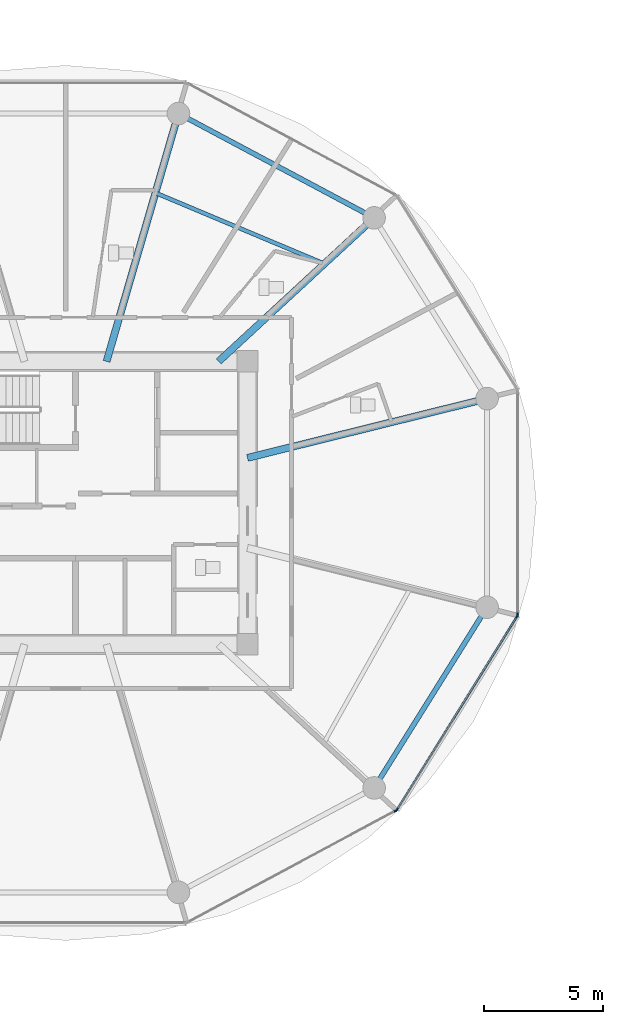
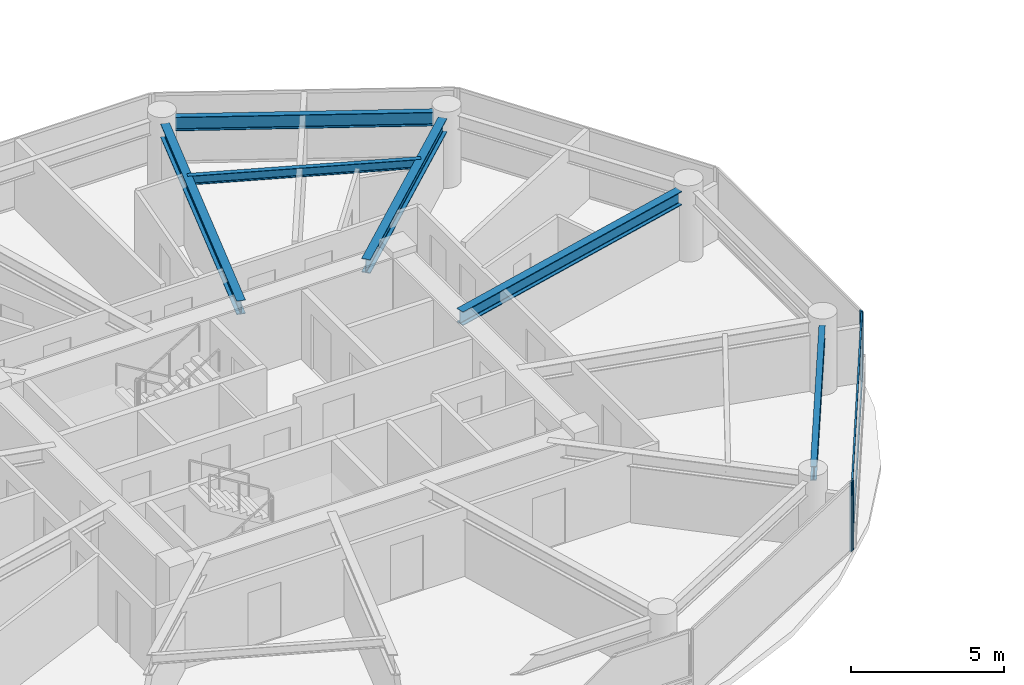
# One storey, part 5 of 27: 6 beams, 6 members, 3 elements without a shape of their own.
"""IFC4 building model written with IfcOpenShell, lengths in metres."""

from ifc_helpers import new_model, si_unit, direction, frame, origin, origin_2d, place, context, subcontext, project, spatial, rectangle, i_section, extrude, source, transform, mapped, material, layer, layer_set, material_profile, profile_set, type_object, type_shapes, element, aggregate, save


model = new_model("IFC4")

# Units and contexts
model_context = context("Model", 3, precision=1e-05, world=origin(), true_north=direction((0.0, 1.0)))
body_context = subcontext(model_context, "Body", "Model", "MODEL_VIEW")
ifc_project = project(units=[si_unit("LENGTHUNIT", "METRE"), si_unit("AREAUNIT", "SQUARE_METRE"), si_unit("VOLUMEUNIT", "CUBIC_METRE"), si_unit("PLANEANGLEUNIT", "RADIAN"), si_unit("MASSUNIT", "GRAM", prefix="KILO")], contexts=[model_context])

# Site, building, storey
site_placement = place(None, origin())
site = spatial("IfcSite", under=ifc_project, at=site_placement, CompositionType="ELEMENT")
building_placement = place(site_placement, origin())
building = spatial("IfcBuilding", under=site, at=building_placement, Name="Norrkilde Senior Care Towers", CompositionType="ELEMENT")
storey_placement = place(building_placement, frame((0.0, 0.0, 36.85009765625)))
storey = spatial("IfcBuildingStorey", under=building, at=storey_placement, Name="L10", CompositionType="ELEMENT", Elevation=36.85009765625)

# Beams
ifc_material_1 = material(Name="Steel S355", Category="steel")
ifc_material_profile_1 = material_profile(ifc_material_1, i_section(OverallWidth=0.2099609375, OverallDepth=0.550048828125, WebThickness=0.010986328125, FlangeThickness=0.01708984375, FilletRadius=0.02392578125, at=origin_2d()), Name="IPE 550")
ifc_profile_set_1 = profile_set([ifc_material_profile_1], Name="Steel S355")
beam_type_1 = type_object("IfcBeamType", Name="Perimeter Ring Spandrel Z1 IPE550", PredefinedType="SPANDREL", material=ifc_profile_set_1)
shared_shape_1 = source(origin(), body_context, "Body", "SweptSolid", [
    extrude(i_section(OverallWidth=0.2099609375, OverallDepth=0.550048828125, WebThickness=0.010986328125, FlangeThickness=0.01708984375, FilletRadius=0.02392578125, at=origin_2d()), origin(), (0.0, 0.0, 1.0), 8.090576171875),
])
beam_1_placement = place(storey_placement, frame((-14.7939453125, -11.61669921875, 2.514892578125), z_axis=(0.530004364821, 0.84799491347, 0.0), x_axis=(-0.84799491347, 0.530004364821, 0.0)))
element("IfcBeam", 1, at=beam_1_placement, inside=storey, type_object=beam_type_1, Name="L10 Drum W Perimeter Spandrel 11", PredefinedType="SPANDREL", context=body_context, shape_type="MappedRepresentation", body=[
    mapped(shared_shape_1, transform((0.0, 0.0, 0.0), x_axis=(1.0, 0.0, 0.0), y_axis=(0.0, 1.0, 0.0), z_axis=(0.0, 0.0, 1.0), scale=1.0)),
])
ifc_material_profile_2 = material_profile(ifc_material_1, i_section(OverallWidth=0.300048828125, OverallDepth=0.550048828125, WebThickness=0.014892578125, FlangeThickness=0.029052734375, FilletRadius=0.027099609375, at=origin_2d()), Name="HEB 550")
ifc_profile_set_2 = profile_set([ifc_material_profile_2], Name="Steel S355")
beam_type_2 = type_object("IfcBeamType", Name="Radial Floor Beam Z1 HEB550", PredefinedType="BEAM", material=ifc_profile_set_2)
shared_shape_2 = source(origin(), body_context, "Body", "SweptSolid", [
    extrude(i_section(OverallWidth=0.300048828125, OverallDepth=0.550048828125, WebThickness=0.014892578125, FlangeThickness=0.029052734375, FilletRadius=0.027099609375, at=origin_2d()), origin(), (0.0, 0.0, 1.0), 9.94384765625),
])
beam_2_placement = place(storey_placement, frame((-20.35009765625, 1.893310546875, 2.514892578125), z_axis=(0.970707425182, 0.240264634718, 0.0), x_axis=(-0.240264634718, 0.970707425182, 0.0)))
element("IfcBeam", 2, at=beam_2_placement, inside=storey, type_object=beam_type_2, Name="L10 Drum W Radial Floor Beam 01", PredefinedType="BEAM", context=body_context, shape_type="MappedRepresentation", body=[
    mapped(shared_shape_2, transform((0.0, 0.0, 0.0), x_axis=(1.0, 0.0, 0.0), y_axis=(0.0, 1.0, 0.0), z_axis=(0.0, 0.0, 1.0), scale=1.0)),
])
shared_shape_3 = source(origin(), body_context, "Body", "SweptSolid", [
    extrude(i_section(OverallWidth=0.2099609375, OverallDepth=0.550048828125, WebThickness=0.010986328125, FlangeThickness=0.01708984375, FilletRadius=0.02392578125, at=origin_2d()), origin(), (0.0, 0.0, 1.0), 8.452880859375),
])
type_shapes(beam_type_1, [shared_shape_1, shared_shape_3])
beam_3_placement = place(storey_placement, frame((-15.408447265625, 12.190185546875, 2.514892578125), z_axis=(-0.882368931134, 0.470558252898, 0.0), x_axis=(-0.470558252898, -0.882368931134, 0.0)))
element("IfcBeam", 3, at=beam_3_placement, inside=storey, type_object=beam_type_1, Name="L10 Drum W Perimeter Spandrel 02", PredefinedType="SPANDREL", context=body_context, shape_type="MappedRepresentation", body=[
    mapped(shared_shape_3, transform((0.0, 0.0, 0.0), x_axis=(1.0, 0.0, 0.0), y_axis=(0.0, 1.0, 0.0), z_axis=(0.0, 0.0, 1.0), scale=1.0)),
])
shared_shape_4 = source(origin(), body_context, "Body", "SweptSolid", [
    extrude(i_section(OverallWidth=0.300048828125, OverallDepth=0.550048828125, WebThickness=0.014892578125, FlangeThickness=0.029052734375, FilletRadius=0.027099609375, at=origin_2d()), origin(), (0.0, 0.0, 1.0), 8.459716796875),
])
beam_4_placement = place(storey_placement, frame((-21.55859375, 5.949951171875, 2.514892578125), z_axis=(0.734573269108, 0.678529374686, 0.0), x_axis=(-0.678529374686, 0.734573269108, 0.0)))
element("IfcBeam", 4, at=beam_4_placement, inside=storey, type_object=beam_type_2, Name="L10 Drum W Radial Floor Beam 02", PredefinedType="BEAM", context=body_context, shape_type="MappedRepresentation", body=[
    mapped(shared_shape_4, transform((0.0, 0.0, 0.0), x_axis=(1.0, 0.0, 0.0), y_axis=(0.0, 1.0, 0.0), z_axis=(0.0, 0.0, 1.0), scale=1.0)),
])
shared_shape_5 = source(origin(), body_context, "Body", "SweptSolid", [
    extrude(i_section(OverallWidth=0.300048828125, OverallDepth=0.550048828125, WebThickness=0.014892578125, FlangeThickness=0.029052734375, FilletRadius=0.027099609375, at=origin_2d()), origin(), (0.0, 0.0, 1.0), 10.4169921875),
])
type_shapes(beam_type_2, [shared_shape_2, shared_shape_4, shared_shape_5])
beam_5_placement = place(storey_placement, frame((-26.27392578125, 5.949951171875, 2.514892578125), z_axis=(0.278591250785, 0.960409764104, 0.0), x_axis=(-0.960409764104, 0.278591250785, 0.0)))
element("IfcBeam", 5, at=beam_5_placement, inside=storey, type_object=beam_type_2, Name="L10 Drum W Radial Floor Beam 03", PredefinedType="BEAM", context=body_context, shape_type="MappedRepresentation", body=[
    mapped(shared_shape_5, transform((0.0, 0.0, 0.0), x_axis=(1.0, 0.0, 0.0), y_axis=(0.0, 1.0, 0.0), z_axis=(0.0, 0.0, 1.0), scale=1.0)),
])
ifc_material_profile_3 = material_profile(ifc_material_1, i_section(OverallWidth=0.169921875, OverallDepth=0.360107421875, WebThickness=0.008056640625, FlangeThickness=0.0126953125, FilletRadius=0.01806640625, at=origin_2d()), Name="IPE 360")
ifc_profile_set_3 = profile_set([ifc_material_profile_3], Name="Steel S355")
beam_type_3 = type_object("IfcBeamType", Name="Secondary Floor Joist IPE360", PredefinedType="JOIST", material=ifc_profile_set_3)
shared_shape_6 = source(origin(), body_context, "Body", "SweptSolid", [
    extrude(i_section(OverallWidth=0.169921875, OverallDepth=0.360107421875, WebThickness=0.008056640625, FlangeThickness=0.0126953125, FilletRadius=0.01806640625, at=origin_2d()), origin(), (0.0, 0.0, 1.0), 7.703857421875),
])
type_shapes(beam_type_3, [shared_shape_6])
beam_6_placement = place(storey_placement, frame((-17.115478515625, 10.05419921875, 2.60986328125), z_axis=(-0.921982784465, 0.387230868023, 0.0), x_axis=(-0.387230868023, -0.921982784465, 0.0)))
element("IfcBeam", 6, at=beam_6_placement, inside=storey, type_object=beam_type_3, Name="L10 Drum W Secondary Floor Joist 1", PredefinedType="JOIST", context=body_context, shape_type="MappedRepresentation", body=[
    mapped(shared_shape_6, transform((0.0, 0.0, 0.0), x_axis=(1.0, 0.0, 0.0), y_axis=(0.0, 1.0, 0.0), z_axis=(0.0, 0.0, 1.0), scale=1.0)),
])

# Curtain wall, member
ifc_material_2 = material(Name="Triple Low-E Insulated Glazing", Category="glass")
ifc_layer = layer(ifc_material_2, 0.199951171875)
ifc_layer_set = layer_set([ifc_layer], Name="Triple Low-E Insulated Glazing")
curtain_wall_type = type_object("IfcCurtainWallType", Name="CW2 Zone 1 Memory Care Curtain Wall", PredefinedType="NOTDEFINED", material=ifc_layer_set)
curtain_wall_1_placement = place(storey_placement, origin())
curtain_wall_1 = element("IfcCurtainWall", 7, at=curtain_wall_1_placement, inside=storey, type_object=curtain_wall_type, Name="L10 Drum W Curtain Wall 09", PredefinedType="NOTDEFINED")
ifc_material_3 = material(Name="Anodised Aluminium", Category="aluminium")
ifc_material_profile_4 = material_profile(ifc_material_3, rectangle(XDim=0.06494140625, YDim=0.159912109375, at=origin_2d()), Name="ALU MULL 65x160")
ifc_profile_set_4 = profile_set([ifc_material_profile_4], Name="Anodised Aluminium")
member_type_1 = type_object("IfcMemberType", Name="Curtain Wall Mullion Z1-Z2 65x160", PredefinedType="MULLION", material=ifc_profile_set_4)
shared_shape_7 = source(origin(), body_context, "Body", "SweptSolid", [
    extrude(rectangle(XDim=0.06494140625, YDim=0.159912109375, at=origin_2d()), origin(), (0.0, 0.0, 1.0), 2.789794921875),
])
type_shapes(member_type_1, [shared_shape_7])
member_1_placement = place(storey_placement, frame((-14.11279296875, -12.941162109375, 0.0), z_axis=(0.0, 0.0, 1.0), x_axis=(0.472607802456, -0.881272866403, 0.0)))
member_1 = element("IfcMember", 8, at=member_1_placement, type_object=member_type_1, Name="CW-2 mullion 1", PredefinedType="MULLION", context=body_context, shape_type="MappedRepresentation", body=[
    mapped(shared_shape_7, transform((0.0, 0.0, 0.0), x_axis=(1.0, 0.0, 0.0), y_axis=(0.0, 1.0, 0.0), z_axis=(0.0, 0.0, 1.0), scale=1.0)),
])
aggregate(curtain_wall_1, [member_1])

# Curtain wall, members
curtain_wall_2_placement = place(storey_placement, origin())
curtain_wall_2 = element("IfcCurtainWall", 9, at=curtain_wall_2_placement, inside=storey, type_object=curtain_wall_type, Name="L10 Drum W Curtain Wall 10", PredefinedType="NOTDEFINED")
member_2_placement = place(storey_placement, frame((-9.0078125, -4.7587890625, 0.0), z_axis=(0.0, 0.0, 1.0), x_axis=(0.849305943117, -0.527900951871, 0.0)))
member_2 = element("IfcMember", 10, at=member_2_placement, type_object=member_type_1, Name="CW-2 mullion 1", PredefinedType="MULLION", context=body_context, shape_type="MappedRepresentation", body=[
    mapped(shared_shape_7, transform((0.0, 0.0, 0.0), x_axis=(1.0, 0.0, 0.0), y_axis=(0.0, 1.0, 0.0), z_axis=(0.0, 0.0, 1.0), scale=1.0)),
])
member_3_placement = place(storey_placement, frame((-14.06689453125, -12.898193359375, 0.0), z_axis=(0.0, 0.0, 1.0), x_axis=(0.849305943117, -0.527900951871, 0.0)))
member_3 = element("IfcMember", 11, at=member_3_placement, type_object=member_type_1, Name="CW-2 mullion 2", PredefinedType="MULLION", context=body_context, shape_type="MappedRepresentation", body=[
    mapped(shared_shape_7, transform((0.0, 0.0, 0.0), x_axis=(1.0, 0.0, 0.0), y_axis=(0.0, 1.0, 0.0), z_axis=(0.0, 0.0, 1.0), scale=1.0)),
])

# Curtain wall, member
curtain_wall_3_placement = place(storey_placement, origin())
curtain_wall_3 = element("IfcCurtainWall", 12, at=curtain_wall_3_placement, inside=storey, type_object=curtain_wall_type, Name="L10 Drum W Curtain Wall 11", PredefinedType="NOTDEFINED")
member_4_placement = place(storey_placement, frame((-8.990478515625, -4.69873046875, 0.0), z_axis=(0.0, 0.0, 1.0), x_axis=(1.0, 0.0, 0.0)))
member_4 = element("IfcMember", 13, at=member_4_placement, type_object=member_type_1, Name="CW-2 mullion 2", PredefinedType="MULLION", context=body_context, shape_type="MappedRepresentation", body=[
    mapped(shared_shape_7, transform((0.0, 0.0, 0.0), x_axis=(1.0, 0.0, 0.0), y_axis=(0.0, 1.0, 0.0), z_axis=(0.0, 0.0, 1.0), scale=1.0)),
])
aggregate(curtain_wall_3, [member_4])

# Member
ifc_material_profile_5 = material_profile(ifc_material_3, rectangle(XDim=0.06005859375, YDim=0.1201171875, at=origin_2d()), Name="ALU TRAN 60x120")
ifc_profile_set_5 = profile_set([ifc_material_profile_5], Name="Anodised Aluminium")
member_type_2 = type_object("IfcMemberType", Name="Curtain Wall Transom Typical 60x120", PredefinedType="USERDEFINED", material=ifc_profile_set_5)
shared_shape_8 = source(origin(), body_context, "Body", "SweptSolid", [
    extrude(rectangle(XDim=0.06005859375, YDim=0.1201171875, at=origin_2d()), origin(), (0.0, 0.0, 1.0), 9.5185546875),
])
type_shapes(member_type_2, [shared_shape_8])
member_5_placement = place(storey_placement, frame((-9.02490234375, -4.786376953125, 0.02978515625), z_axis=(-0.527901620669, -0.849305527413, 0.0), x_axis=(0.849305527413, -0.527901620669, 0.0)))
member_5 = element("IfcMember", 14, at=member_5_placement, type_object=member_type_2, Name="CW-2 transom 1.1", ObjectType="TRANSOM", PredefinedType="USERDEFINED", context=body_context, shape_type="MappedRepresentation", body=[
    mapped(shared_shape_8, transform((0.0, 0.0, 0.0), x_axis=(1.0, 0.0, 0.0), y_axis=(0.0, 1.0, 0.0), z_axis=(0.0, 0.0, 1.0), scale=1.0)),
])

member_6_placement = place(storey_placement, frame((-9.02490234375, -4.786376953125, 2.760009765625), z_axis=(-0.527901620669, -0.849305527413, 0.0), x_axis=(0.849305527413, -0.527901620669, 0.0)))
member_6 = element("IfcMember", 15, at=member_6_placement, type_object=member_type_2, Name="CW-2 transom 1.2", ObjectType="TRANSOM", PredefinedType="USERDEFINED", context=body_context, shape_type="MappedRepresentation", body=[
    mapped(shared_shape_8, transform((0.0, 0.0, 0.0), x_axis=(1.0, 0.0, 0.0), y_axis=(0.0, 1.0, 0.0), z_axis=(0.0, 0.0, 1.0), scale=1.0)),
])

aggregate(curtain_wall_2, [member_2, member_3, member_5, member_6])

save(model, "model.ifc")
